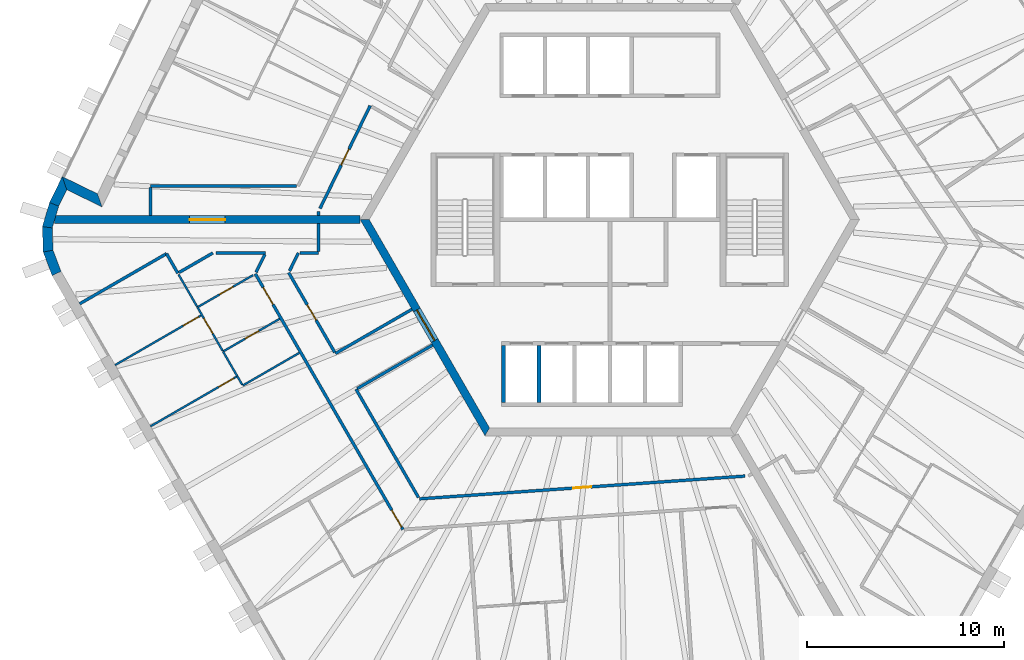
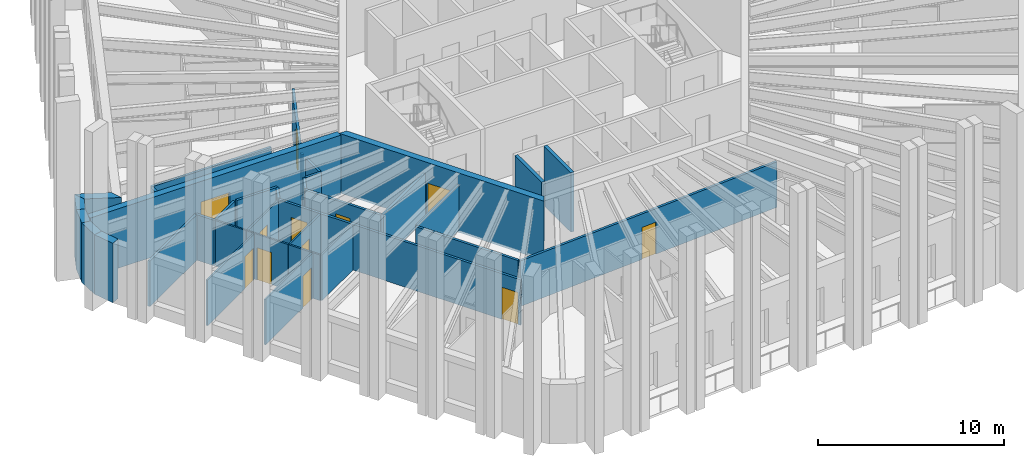
# One storey, part 4 of 13: 36 walls, 12 doors, 12 openings.
"""IFC4 building model written with IfcOpenShell, lengths in metres."""

from ifc_helpers import new_model, si_unit, direction, frame, frame_2d, origin, place, context, subcontext, project, spatial, polyline, rectangle, outline, extrude, material, layer, layer_set, type_object, element, fill, save


model = new_model("IFC4")

# Units and contexts
model_context = context("Model", 3, precision=1e-05, world=origin(), true_north=direction((0.0, 1.0)))
body_context = subcontext(model_context, "Body", "Model", "MODEL_VIEW")
ifc_project = project(units=[si_unit("LENGTHUNIT", "METRE"), si_unit("AREAUNIT", "SQUARE_METRE"), si_unit("VOLUMEUNIT", "CUBIC_METRE"), si_unit("PLANEANGLEUNIT", "RADIAN"), si_unit("MASSUNIT", "GRAM", prefix="KILO")], contexts=[model_context])

# Site, building, storey
site_placement = place(None, origin())
site = spatial("IfcSite", under=ifc_project, at=site_placement, CompositionType="ELEMENT")
building_placement = place(site_placement, origin())
building = spatial("IfcBuilding", under=site, at=building_placement, Name="Tarnside Tower", CompositionType="ELEMENT")
storey_placement = place(building_placement, frame((0.0, 0.0, 303.0)))
storey = spatial("IfcBuildingStorey", under=building, at=storey_placement, Name="L73", CompositionType="ELEMENT", Elevation=303.0)

# Walls
ifc_material_1 = material(Name="Gypsum board partition on steel studs", Category="steel")
ifc_layer_1 = layer(ifc_material_1, 0.10009765625)
ifc_layer_set_1 = layer_set([ifc_layer_1], Name="Bathroom wall 100")
wall_type_1 = type_object("IfcWallType", Name="Bathroom wall 100", PredefinedType="PARTITIONING", material=ifc_layer_set_1)
wall_1_placement = place(storey_placement, frame((-15.80078125, -6.782470703125, 0.0), z_axis=(0.0, 0.0, 1.0), x_axis=(-0.866033959199, -0.499985181294, 0.0)))
element("IfcWall", 1, at=wall_1_placement, inside=storey, type_object=wall_type_1, Name="Bathroom wall 24113", PredefinedType="PARTITIONING", context=body_context, shape_type="SweptSolid", body=[
    extrude(rectangle(XDim=3.32470703125, YDim=0.10009765625, at=frame_2d((1.662353515625, 0.0))), origin(), (0.0, 0.0, 1.0), 2.98779296875),
])
wall_2_placement = place(storey_placement, frame((-18.705322265625, -8.401611328125, 0.0), z_axis=(0.0, 0.0, 1.0), x_axis=(-0.499863173377, 0.866104386261, 0.0)))
element("IfcWall", 2, at=wall_2_placement, inside=storey, type_object=wall_type_1, Name="Bathroom wall 24114", PredefinedType="PARTITIONING", context=body_context, shape_type="SweptSolid", body=[
    extrude(rectangle(XDim=0.500732421875, YDim=0.10009765625, at=frame_2d((0.25048828125, 0.0))), origin(), (0.0, 0.0, 1.0), 2.98779296875),
])

# Wall, opening, door
wall_3_placement = place(storey_placement, frame((-19.68017578125, -6.712890625, 0.0), z_axis=(0.0, 0.0, 1.0), x_axis=(0.866002163101, 0.500040251884, 0.0)))
wall_3 = element("IfcWall", 3, at=wall_3_placement, inside=storey, type_object=wall_type_1, Name="Bathroom wall 24118", PredefinedType="PARTITIONING", context=body_context, shape_type="SweptSolid", body=[
    extrude(rectangle(XDim=3.324951171875, YDim=0.10009765625, at=frame_2d((1.66259765625, 0.0))), origin(), (0.0, 0.0, 1.0), 2.98779296875),
])
opening_1_placement = place(wall_3_placement, frame((1.300048828125, 0.0, 0.0)))
opening_1 = element("IfcOpeningElement", 4, at=opening_1_placement, cuts=wall_3, Name="Opening D-B1", PredefinedType="OPENING", context=body_context, shape_type="SweptSolid", body=[
    extrude(rectangle(XDim=0.800048828125, YDim=2.10009765625, at=frame_2d((0.39990234375, 1.050048828125))), frame((0.0, 0.06005859375, 0.0), z_axis=(0.0, -1.0, 0.0), x_axis=(1.0, 0.0, 0.0)), (0.0, 0.0, 1.0), 0.1201171875),
])
ifc_material_2 = material(Name="Timber door leaf", Category="wood")
door_type_1 = type_object("IfcDoorType", Name="Bathroom door 800", OperationType="NOTDEFINED", PredefinedType="DOOR", material=ifc_material_2)
door_1_placement = place(opening_1_placement, origin())
door_1 = element("IfcDoor", 5, at=door_1_placement, inside=storey, type_object=door_type_1, Name="Bathroom door 24023", OperationType="SINGLE_SWING_LEFT", OverallHeight=2.10009765625, OverallWidth=0.800048828125, PredefinedType="DOOR", context=body_context, shape_type="SweptSolid", body=[
    extrude(rectangle(XDim=0.800048828125, YDim=2.10009765625, at=frame_2d((0.39990234375, 1.050048828125))), frame((0.0, 0.02490234375, 0.0), z_axis=(0.0, -1.0, 0.0), x_axis=(1.0, 0.0, 0.0)), (0.0, 0.0, 1.0), 0.050048828125),
])
fill(opening_1, door_1)

wall_4_placement = place(storey_placement, frame((-18.15185546875, -2.828125, 0.0), z_axis=(0.0, 0.0, 1.0), x_axis=(-0.866012548765, -0.500022264885, 0.0)))
wall_4 = element("IfcWall", 6, at=wall_4_placement, inside=storey, type_object=wall_type_1, Name="Bathroom wall 24121", PredefinedType="PARTITIONING", context=body_context, shape_type="SweptSolid", body=[
    extrude(rectangle(XDim=3.265869140625, YDim=0.10009765625, at=frame_2d((1.6328125, 0.0))), origin(), (0.0, 0.0, 1.0), 2.98779296875),
])
opening_2_placement = place(wall_4_placement, frame((1.165771484375, 0.0, 0.0)))
opening_2 = element("IfcOpeningElement", 7, at=opening_2_placement, cuts=wall_4, Name="Opening D-B1", PredefinedType="OPENING", context=body_context, shape_type="SweptSolid", body=[
    extrude(rectangle(XDim=0.800048828125, YDim=2.10009765625, at=frame_2d((0.39990234375, 1.050048828125))), frame((0.0, 0.06005859375, 0.0), z_axis=(0.0, -1.0, 0.0), x_axis=(1.0, 0.0, 0.0)), (0.0, 0.0, 1.0), 0.1201171875),
])
door_2_placement = place(opening_2_placement, origin())
door_2 = element("IfcDoor", 8, at=door_2_placement, inside=storey, type_object=door_type_1, Name="Bathroom door 24032", OperationType="SINGLE_SWING_RIGHT", OverallHeight=2.10009765625, OverallWidth=0.800048828125, PredefinedType="DOOR", context=body_context, shape_type="SweptSolid", body=[
    extrude(rectangle(XDim=0.800048828125, YDim=2.10009765625, at=frame_2d((0.39990234375, 1.050048828125))), frame((0.0, 0.02490234375, 0.0), z_axis=(0.0, -1.0, 0.0), x_axis=(1.0, 0.0, 0.0)), (0.0, 0.0, 1.0), 0.050048828125),
])
fill(opening_2, door_2)

# Walls
wall_5_placement = place(storey_placement, frame((-19.68115234375, -6.711181640625, 0.0), z_axis=(0.0, 0.0, 1.0), x_axis=(0.499969679245, -0.866042908773, 0.0)))
element("IfcWall", 9, at=wall_5_placement, inside=storey, type_object=wall_type_1, Name="Bathroom wall 24122", PredefinedType="PARTITIONING", context=body_context, shape_type="SweptSolid", body=[
    extrude(rectangle(XDim=1.453125, YDim=0.10009765625, at=frame_2d((0.7265625, 0.0))), origin(), (0.0, 0.0, 1.0), 2.98779296875),
])
wall_6_placement = place(storey_placement, frame((-21.005126953125, -4.41796875, 0.0), z_axis=(0.0, 0.0, 1.0), x_axis=(-0.500004234368, 0.866022959057, 0.0)))
element("IfcWall", 10, at=wall_6_placement, inside=storey, type_object=wall_type_1, Name="Bathroom wall 24124", PredefinedType="PARTITIONING", context=body_context, shape_type="SweptSolid", body=[
    extrude(rectangle(XDim=1.875, YDim=0.10009765625, at=frame_2d((0.9375, 0.0))), origin(), (0.0, 0.0, 1.0), 2.98779296875),
])

# Wall, opening, door
ifc_material_3 = material(Name="Concrete C60/75", Category="concrete")
ifc_layer_2 = layer(ifc_material_3, 0.39990234375)
ifc_layer_set_2 = layer_set([ifc_layer_2], Name="Core wall Z3 400 C60/75")
wall_type_2 = type_object("IfcWallType", Name="Core wall Z3 400 C60/75", PredefinedType="SHEAR", material=ifc_layer_set_2)
wall_7_placement = place(storey_placement, frame((-12.470703125, 0.0, -0.14990234375), z_axis=(0.0, 0.0, 1.0), x_axis=(0.499996419489, -0.866027470984, 0.0)))
wall_7 = element("IfcWall", 11, at=wall_7_placement, inside=storey, type_object=wall_type_2, Name="L73 core wall face 3", PredefinedType="SHEAR", context=body_context, shape_type="SweptSolid", body=[
    extrude(outline(polyline([(-0.115478515625, -0.199951171875), (12.586181640625, -0.199951171875), (12.355224609375, 0.199951171875), (0.115478515625, 0.199951171875), (-0.115478515625, -0.199951171875)])), origin(), (0.0, 0.0, 1.0), 3.89990234375),
])
opening_3_placement = place(wall_7_placement, frame((5.306396484375, 0.0, 0.14990234375)))
opening_3 = element("IfcOpeningElement", 12, at=opening_3_placement, cuts=wall_7, Name="Opening CD-FFL", PredefinedType="OPENING", context=body_context, shape_type="SweptSolid", body=[
    extrude(rectangle(XDim=1.800048828125, YDim=2.39990234375, at=frame_2d((0.89990234375, 1.199951171875))), frame((0.0, 0.2099609375, 0.0), z_axis=(0.0, -1.0, 0.0), x_axis=(1.0, 0.0, 0.0)), (0.0, 0.0, 1.0), 0.419921875),
])
ifc_material_4 = material(Name="Steel fire door", Category="steel")
door_type_2 = type_object("IfcDoorType", Name="Firefighting lobby double door FD60S 1800x2400", OperationType="NOTDEFINED", PredefinedType="DOOR", material=ifc_material_4)
door_3_placement = place(opening_3_placement, origin())
door_3 = element("IfcDoor", 13, at=door_3_placement, inside=storey, type_object=door_type_2, Name="L73 core door P3", OperationType="DOUBLE_DOOR_SINGLE_SWING", OverallHeight=2.39990234375, OverallWidth=1.800048828125, PredefinedType="DOOR", context=body_context, shape_type="SweptSolid", body=[
    extrude(rectangle(XDim=1.800048828125, YDim=2.39990234375, at=frame_2d((0.89990234375, 1.199951171875))), frame((0.0, 0.02490234375, 0.0), z_axis=(0.0, -1.0, 0.0), x_axis=(1.0, 0.0, 0.0)), (0.0, 0.0, 1.0), 0.050048828125),
])
fill(opening_3, door_3)

wall_8_placement = place(storey_placement, frame((-12.70166015625, 0.0, -0.14990234375), z_axis=(0.0, 0.0, 1.0), x_axis=(-1.0, 0.0, 0.0)))
wall_8 = element("IfcWall", 14, at=wall_8_placement, inside=storey, type_object=wall_type_2, Name="L73 spine wall 2", PredefinedType="SHEAR", context=body_context, shape_type="SweptSolid", body=[
    extrude(rectangle(XDim=15.54443359375, YDim=0.39990234375, at=frame_2d((7.772216796875, 0.0))), origin(), (0.0, 0.0, 1.0), 3.89990234375),
])
opening_4_placement = place(wall_8_placement, frame((6.872314453125, 0.0, 0.14990234375)))
opening_4 = element("IfcOpeningElement", 15, at=opening_4_placement, cuts=wall_8, Name="Opening CD-SPN", PredefinedType="OPENING", context=body_context, shape_type="SweptSolid", body=[
    extrude(rectangle(XDim=1.800048828125, YDim=2.39990234375, at=frame_2d((0.89990234375, 1.199951171875))), frame((0.0, 0.2099609375, 0.0), z_axis=(0.0, -1.0, 0.0), x_axis=(1.0, 0.0, 0.0)), (0.0, 0.0, 1.0), 0.419921875),
])
door_type_3 = type_object("IfcDoorType", Name="Spine passage double door FD60 1800x2400", OperationType="NOTDEFINED", PredefinedType="DOOR", material=ifc_material_4)
door_4_placement = place(opening_4_placement, origin())
door_4 = element("IfcDoor", 16, at=door_4_placement, inside=storey, type_object=door_type_3, Name="L73 spine passage door 2", OperationType="DOUBLE_DOOR_SINGLE_SWING", OverallHeight=2.39990234375, OverallWidth=1.800048828125, PredefinedType="DOOR", context=body_context, shape_type="SweptSolid", body=[
    extrude(rectangle(XDim=1.800048828125, YDim=2.39990234375, at=frame_2d((0.89990234375, 1.199951171875))), frame((0.0, 0.02490234375, 0.0), z_axis=(0.0, -1.0, 0.0), x_axis=(1.0, 0.0, 0.0)), (0.0, 0.0, 1.0), 0.050048828125),
])
fill(opening_4, door_4)

# Walls
ifc_layer_3 = layer(ifc_material_1, 0.14990234375)
ifc_layer_set_3 = layer_set([ifc_layer_3], Name="Corridor wall 150 EI 60")
wall_type_3 = type_object("IfcWallType", Name="Corridor wall 150 EI 60", PredefinedType="PARTITIONING", material=ifc_layer_set_3)
wall_9_placement = place(storey_placement, frame((-15.943359375, 1.699951171875, 0.0), z_axis=(0.0, 0.0, 1.0), x_axis=(-1.0, 0.0, 0.0)))
element("IfcWall", 17, at=wall_9_placement, inside=storey, type_object=wall_type_3, Name="Corridor wall 24013", PredefinedType="PARTITIONING", context=body_context, shape_type="SweptSolid", body=[
    extrude(rectangle(XDim=7.4306640625, YDim=0.14990234375, at=frame_2d((3.71533203125, 0.0))), origin(), (0.0, 0.0, 1.0), 2.98779296875),
])
wall_10_placement = place(storey_placement, frame((-23.3740234375, 1.625, 0.0), z_axis=(0.0, 0.0, 1.0), x_axis=(0.0, -1.0, 0.0)))
element("IfcWall", 18, at=wall_10_placement, inside=storey, type_object=wall_type_3, Name="Corridor wall 24014", PredefinedType="PARTITIONING", context=body_context, shape_type="SweptSolid", body=[
    extrude(rectangle(XDim=1.425048828125, YDim=0.14990234375, at=frame_2d((0.71240234375, 0.0))), origin(), (0.0, 0.0, 1.0), 2.98779296875),
])
wall_11_placement = place(storey_placement, frame((-14.820068359375, 0.199951171875, 0.0), z_axis=(0.0, 0.0, 1.0), x_axis=(0.0, 1.0, 0.0)))
element("IfcWall", 19, at=wall_11_placement, inside=storey, type_object=wall_type_3, Name="Corridor wall 24023", PredefinedType="PARTITIONING", context=body_context, shape_type="SweptSolid", body=[
    extrude(rectangle(XDim=0.210205078125, YDim=0.14990234375, at=frame_2d((0.10498046875, 0.0))), origin(), (0.0, 0.0, 1.0), 2.98779296875),
])

# Wall, opening, door
wall_12_placement = place(storey_placement, frame((-14.7451171875, 0.563720703125, 0.0), z_axis=(0.0, 0.0, 1.0), x_axis=(0.438348416625, 0.898805132185, 0.0)))
wall_12 = element("IfcWall", 20, at=wall_12_placement, inside=storey, type_object=wall_type_3, Name="Corridor wall 24024", PredefinedType="PARTITIONING", context=body_context, shape_type="SweptSolid", body=[
    extrude(rectangle(XDim=5.819580078125, YDim=0.14990234375, at=frame_2d((2.90966796875, 0.0))), origin(), (0.0, 0.0, 1.0), 2.98779296875),
])
opening_5_placement = place(wall_12_placement, frame((2.459716796875, 0.0, 0.0)))
opening_5 = element("IfcOpeningElement", 21, at=opening_5_placement, cuts=wall_12, Name="Opening D-S1", PredefinedType="OPENING", context=body_context, shape_type="SweptSolid", body=[
    extrude(rectangle(XDim=0.89990234375, YDim=2.10009765625, at=frame_2d((0.449951171875, 1.050048828125))), frame((0.0, 0.0849609375, 0.0), z_axis=(0.0, -1.0, 0.0), x_axis=(1.0, 0.0, 0.0)), (0.0, 0.0, 1.0), 0.169921875),
])
door_type_4 = type_object("IfcDoorType", Name="Service room door 900 FD30S", OperationType="NOTDEFINED", PredefinedType="DOOR", material=ifc_material_2)
door_5_placement = place(opening_5_placement, origin())
door_5 = element("IfcDoor", 22, at=door_5_placement, inside=storey, type_object=door_type_4, Name="Service door 24064", OperationType="SINGLE_SWING_RIGHT", OverallHeight=2.10009765625, OverallWidth=0.89990234375, PredefinedType="DOOR", context=body_context, shape_type="SweptSolid", body=[
    extrude(rectangle(XDim=0.89990234375, YDim=2.10009765625, at=frame_2d((0.449951171875, 1.050048828125))), frame((0.0, 0.02490234375, 0.0), z_axis=(0.0, -1.0, 0.0), x_axis=(1.0, 0.0, 0.0)), (0.0, 0.0, 1.0), 0.050048828125),
])
fill(opening_5, door_5)

# Wall, openings, doors
wall_13_placement = place(storey_placement, frame((-18.03564453125, -2.76123046875, 0.0), z_axis=(0.0, 0.0, 1.0), x_axis=(0.499996279807, -0.866027551628, 0.0)))
wall_13 = element("IfcWall", 23, at=wall_13_placement, inside=storey, type_object=wall_type_3, Name="Corridor wall 24026", PredefinedType="PARTITIONING", context=body_context, shape_type="SweptSolid", body=[
    extrude(rectangle(XDim=15.02392578125, YDim=0.14990234375, at=frame_2d((7.511962890625, 0.0))), origin(), (0.0, 0.0, 1.0), 2.98779296875),
])
opening_6_placement = place(wall_13_placement, frame((0.800048828125, 0.0, 0.0)))
opening_6 = element("IfcOpeningElement", 24, at=opening_6_placement, cuts=wall_13, Name="Opening D-E1", PredefinedType="OPENING", context=body_context, shape_type="SweptSolid", body=[
    extrude(rectangle(XDim=1.0, YDim=2.10009765625, at=frame_2d((0.5, 1.050048828125))), frame((0.0, 0.0849609375, 0.0), z_axis=(0.0, -1.0, 0.0), x_axis=(1.0, 0.0, 0.0)), (0.0, 0.0, 1.0), 0.169921875),
])
opening_7_placement = place(wall_13_placement, frame((13.874267578125, 0.0, 0.0)))
opening_7 = element("IfcOpeningElement", 25, at=opening_7_placement, cuts=wall_13, Name="Opening D-E1", PredefinedType="OPENING", context=body_context, shape_type="SweptSolid", body=[
    extrude(rectangle(XDim=1.0, YDim=2.10009765625, at=frame_2d((0.5, 1.050048828125))), frame((0.0, 0.0849609375, 0.0), z_axis=(0.0, -1.0, 0.0), x_axis=(1.0, 0.0, 0.0)), (0.0, 0.0, 1.0), 0.169921875),
])
door_type_5 = type_object("IfcDoorType", Name="Unit entrance door 1000 FD30S", OperationType="NOTDEFINED", PredefinedType="DOOR", material=ifc_material_2)
door_6_placement = place(opening_6_placement, origin())
door_6 = element("IfcDoor", 26, at=door_6_placement, inside=storey, type_object=door_type_5, Name="Unit door 24022", OperationType="SINGLE_SWING_RIGHT", OverallHeight=2.10009765625, OverallWidth=1.0, PredefinedType="DOOR", context=body_context, shape_type="SweptSolid", body=[
    extrude(rectangle(XDim=1.0, YDim=2.10009765625, at=frame_2d((0.5, 1.050048828125))), frame((0.0, 0.02490234375, 0.0), z_axis=(0.0, -1.0, 0.0), x_axis=(1.0, 0.0, 0.0)), (0.0, 0.0, 1.0), 0.050048828125),
])
fill(opening_6, door_6)
door_7_placement = place(opening_7_placement, origin())
door_7 = element("IfcDoor", 27, at=door_7_placement, inside=storey, type_object=door_type_5, Name="Unit door 24033", OperationType="SINGLE_SWING_LEFT", OverallHeight=2.10009765625, OverallWidth=1.0, PredefinedType="DOOR", context=body_context, shape_type="SweptSolid", body=[
    extrude(rectangle(XDim=1.0, YDim=2.10009765625, at=frame_2d((0.5, 1.050048828125))), frame((0.0, 0.02490234375, 0.0), z_axis=(0.0, -1.0, 0.0), x_axis=(1.0, 0.0, 0.0)), (0.0, 0.0, 1.0), 0.050048828125),
])
fill(opening_7, door_7)

# Walls
wall_14_placement = place(storey_placement, frame((-26.97119140625, -4.284423828125, 0.0), z_axis=(0.0, 0.0, 1.0), x_axis=(0.866024511559, 0.500001545377, 0.0)))
element("IfcWall", 28, at=wall_14_placement, inside=storey, type_object=wall_type_3, Name="Corridor wall 24029", PredefinedType="PARTITIONING", context=body_context, shape_type="SweptSolid", body=[
    extrude(rectangle(XDim=5.0986328125, YDim=0.14990234375, at=frame_2d((2.54931640625, 0.0))), origin(), (0.0, 0.0, 1.0), 2.98779296875),
])
wall_15_placement = place(storey_placement, frame((-22.553955078125, -1.735595703125, 0.0), z_axis=(0.0, 0.0, 1.0), x_axis=(0.500040764516, -0.866001867101, 0.0)))
element("IfcWall", 29, at=wall_15_placement, inside=storey, type_object=wall_type_3, Name="Corridor wall 24030", PredefinedType="PARTITIONING", context=body_context, shape_type="SweptSolid", body=[
    extrude(rectangle(XDim=1.15087890625, YDim=0.14990234375, at=frame_2d((0.575439453125, 0.0))), origin(), (0.0, 0.0, 1.0), 2.98779296875),
])
wall_16_placement = place(storey_placement, frame((-21.915283203125, -2.691650390625, 0.0), z_axis=(0.0, 0.0, 1.0), x_axis=(0.866007234284, 0.500031469177, 0.0)))
element("IfcWall", 30, at=wall_16_placement, inside=storey, type_object=wall_type_3, Name="Corridor wall 24031", PredefinedType="PARTITIONING", context=body_context, shape_type="SweptSolid", body=[
    extrude(rectangle(XDim=1.983154296875, YDim=0.14990234375, at=frame_2d((0.99169921875, 0.0))), origin(), (0.0, 0.0, 1.0), 2.98779296875),
])
wall_17_placement = place(storey_placement, frame((-20.0478515625, -1.699951171875, 0.0), z_axis=(0.0, 0.0, 1.0), x_axis=(1.0, 0.0, 0.0)))
element("IfcWall", 31, at=wall_17_placement, inside=storey, type_object=wall_type_3, Name="Corridor wall 24032", PredefinedType="PARTITIONING", context=body_context, shape_type="SweptSolid", body=[
    extrude(rectangle(XDim=2.52978515625, YDim=0.14990234375, at=frame_2d((1.264892578125, 0.0))), origin(), (0.0, 0.0, 1.0), 2.98779296875),
])
wall_18_placement = place(storey_placement, frame((-17.5546875, -1.77490234375, 0.0), z_axis=(0.0, 0.0, 1.0), x_axis=(-0.438366307753, -0.898796406439, 0.0)))
element("IfcWall", 32, at=wall_18_placement, inside=storey, type_object=wall_type_3, Name="Corridor wall 24033", PredefinedType="PARTITIONING", context=body_context, shape_type="SweptSolid", body=[
    extrude(rectangle(XDim=1.0068359375, YDim=0.14990234375, at=frame_2d((0.50341796875, 0.0))), origin(), (0.0, 0.0, 1.0), 2.98779296875),
])
wall_19_placement = place(storey_placement, frame((-10.065673828125, -4.565673828125, 0.0), z_axis=(0.0, 0.0, 1.0), x_axis=(-0.866031096941, -0.499990139034, 0.0)))
element("IfcWall", 33, at=wall_19_placement, inside=storey, type_object=wall_type_3, Name="Corridor wall 24045", PredefinedType="PARTITIONING", context=body_context, shape_type="SweptSolid", body=[
    extrude(rectangle(XDim=4.5, YDim=0.14990234375, at=frame_2d((2.25, 0.0))), origin(), (0.0, 0.0, 1.0), 2.98779296875),
])

# Wall, opening, door
wall_20_placement = place(storey_placement, frame((-14.000244140625, -6.750732421875, 0.0), z_axis=(0.0, 0.0, 1.0), x_axis=(-0.500008739126, 0.866020358189, 0.0)))
wall_20 = element("IfcWall", 34, at=wall_20_placement, inside=storey, type_object=wall_type_3, Name="Corridor wall 24046", PredefinedType="PARTITIONING", context=body_context, shape_type="SweptSolid", body=[
    extrude(rectangle(XDim=4.67529296875, YDim=0.14990234375, at=frame_2d((2.337646484375, 0.0))), origin(), (0.0, 0.0, 1.0), 2.98779296875),
])
opening_8_placement = place(wall_20_placement, frame((1.8876953125, 0.0, 0.0)))
opening_8 = element("IfcOpeningElement", 35, at=opening_8_placement, cuts=wall_20, Name="Opening D-S1", PredefinedType="OPENING", context=body_context, shape_type="SweptSolid", body=[
    extrude(rectangle(XDim=0.89990234375, YDim=2.10009765625, at=frame_2d((0.449951171875, 1.050048828125))), frame((0.0, 0.0849609375, 0.0), z_axis=(0.0, -1.0, 0.0), x_axis=(1.0, 0.0, 0.0)), (0.0, 0.0, 1.0), 0.169921875),
])
door_8_placement = place(opening_8_placement, origin())
door_8 = element("IfcDoor", 36, at=door_8_placement, inside=storey, type_object=door_type_4, Name="Service door 24065", OperationType="SINGLE_SWING_RIGHT", OverallHeight=2.10009765625, OverallWidth=0.89990234375, PredefinedType="DOOR", context=body_context, shape_type="SweptSolid", body=[
    extrude(rectangle(XDim=0.89990234375, YDim=2.10009765625, at=frame_2d((0.449951171875, 1.050048828125))), frame((0.0, 0.02490234375, 0.0), z_axis=(0.0, -1.0, 0.0), x_axis=(1.0, 0.0, 0.0)), (0.0, 0.0, 1.0), 0.050048828125),
])
fill(opening_8, door_8)

# Walls
wall_21_placement = place(storey_placement, frame((-16.29833984375, -2.62060546875, 0.0), z_axis=(0.0, 0.0, 1.0), x_axis=(0.438325013788, 0.898816545402, 0.0)))
element("IfcWall", 37, at=wall_21_placement, inside=storey, type_object=wall_type_3, Name="Corridor wall 24047", PredefinedType="PARTITIONING", context=body_context, shape_type="SweptSolid", body=[
    extrude(rectangle(XDim=1.0244140625, YDim=0.14990234375, at=frame_2d((0.51220703125, 0.0))), origin(), (0.0, 0.0, 1.0), 2.98779296875),
])
wall_22_placement = place(storey_placement, frame((-15.765869140625, -1.699951171875, 0.0), z_axis=(0.0, 0.0, 1.0), x_axis=(1.0, 0.0, 0.0)))
element("IfcWall", 38, at=wall_22_placement, inside=storey, type_object=wall_type_3, Name="Corridor wall 24048", PredefinedType="PARTITIONING", context=body_context, shape_type="SweptSolid", body=[
    extrude(rectangle(XDim=0.94580078125, YDim=0.14990234375, at=frame_2d((0.472900390625, 0.0))), origin(), (0.0, 0.0, 1.0), 2.98779296875),
])
wall_23_placement = place(storey_placement, frame((-14.820068359375, -1.625, 0.0), z_axis=(0.0, 0.0, 1.0), x_axis=(0.0, 1.0, 0.0)))
element("IfcWall", 39, at=wall_23_placement, inside=storey, type_object=wall_type_3, Name="Corridor wall 24049", PredefinedType="PARTITIONING", context=body_context, shape_type="SweptSolid", body=[
    extrude(rectangle(XDim=1.425048828125, YDim=0.14990234375, at=frame_2d((0.71240234375, 0.0))), origin(), (0.0, 0.0, 1.0), 2.98779296875),
])

# Wall, opening, door
wall_24_placement = place(storey_placement, frame((6.88427734375, -13.051513671875, 0.0), z_axis=(0.0, 0.0, 1.0), x_axis=(-0.997564224443, -0.069753982764, 0.0)))
wall_24 = element("IfcWall", 40, at=wall_24_placement, inside=storey, type_object=wall_type_3, Name="Corridor wall 24051", PredefinedType="PARTITIONING", context=body_context, shape_type="SweptSolid", body=[
    extrude(rectangle(XDim=16.6181640625, YDim=0.14990234375, at=frame_2d((8.30908203125, 0.0))), origin(), (0.0, 0.0, 1.0), 2.98779296875),
])
opening_9_placement = place(wall_24_placement, frame((7.85888671875, 0.0, 0.0)))
opening_9 = element("IfcOpeningElement", 41, at=opening_9_placement, cuts=wall_24, Name="Opening D-S1", PredefinedType="OPENING", context=body_context, shape_type="SweptSolid", body=[
    extrude(rectangle(XDim=0.89990234375, YDim=2.10009765625, at=frame_2d((0.449951171875, 1.050048828125))), frame((0.0, 0.0849609375, 0.0), z_axis=(0.0, -1.0, 0.0), x_axis=(1.0, 0.0, 0.0)), (0.0, 0.0, 1.0), 0.169921875),
])
door_9_placement = place(opening_9_placement, origin())
door_9 = element("IfcDoor", 42, at=door_9_placement, inside=storey, type_object=door_type_4, Name="Service door 24066", OperationType="SINGLE_SWING_RIGHT", OverallHeight=2.10009765625, OverallWidth=0.89990234375, PredefinedType="DOOR", context=body_context, shape_type="SweptSolid", body=[
    extrude(rectangle(XDim=0.89990234375, YDim=2.10009765625, at=frame_2d((0.449951171875, 1.050048828125))), frame((0.0, 0.02490234375, 0.0), z_axis=(0.0, -1.0, 0.0), x_axis=(1.0, 0.0, 0.0)), (0.0, 0.0, 1.0), 0.050048828125),
])
fill(opening_9, door_9)

# Walls
wall_25_placement = place(storey_placement, frame((-9.73486328125, -14.138427734375, 0.0), z_axis=(0.0, 0.0, 1.0), x_axis=(-0.500018385592, 0.866014788598, 0.0)))
element("IfcWall", 43, at=wall_25_placement, inside=storey, type_object=wall_type_3, Name="Corridor wall 24052", PredefinedType="PARTITIONING", context=body_context, shape_type="SweptSolid", body=[
    extrude(rectangle(XDim=6.355712890625, YDim=0.14990234375, at=frame_2d((3.177734375, 0.0))), origin(), (0.0, 0.0, 1.0), 2.98779296875),
])
wall_26_placement = place(storey_placement, frame((-12.847900390625, -8.596923828125, 0.0), z_axis=(0.0, 0.0, 1.0), x_axis=(0.866017452598, 0.500013771606, 0.0)))
element("IfcWall", 44, at=wall_26_placement, inside=storey, type_object=wall_type_3, Name="Corridor wall 24053", PredefinedType="PARTITIONING", context=body_context, shape_type="SweptSolid", body=[
    extrude(rectangle(XDim=4.42529296875, YDim=0.14990234375, at=frame_2d((2.212646484375, 0.0))), origin(), (0.0, 0.0, 1.0), 2.98779296875),
])
ifc_material_5 = material(Name="Concrete C40/50", Category="concrete")
ifc_layer_4 = layer(ifc_material_5, 0.199951171875)
ifc_layer_set_4 = layer_set([ifc_layer_4], Name="Lift shaft wall 200 C40/50")
wall_type_4 = type_object("IfcWallType", Name="Lift shaft wall 200 C40/50", PredefinedType="SHEAR", material=ifc_layer_set_4)
for number, where, z_axis, x_axis, name in (
    (45, (-5.39990234375, -9.300048828125, -0.25), (0.0, 0.0, 1.0), (0.0, 1.0, 0.0), "L73 lift shaft partition R41"),
    (46, (-3.60009765625, -9.300048828125, -0.25), (0.0, 0.0, 1.0), (0.0, 1.0, 0.0), "L73 lift shaft partition R42"),
):
    element("IfcWall", number, at=place(storey_placement, frame(where, z_axis=z_axis, x_axis=x_axis)), inside=storey, type_object=wall_type_4, Name=name, PredefinedType="SHEAR", context=body_context, shape_type="SweptSolid", body=[
        extrude(rectangle(XDim=2.900146484375, YDim=0.199951171875, at=frame_2d((1.4501953125, 0.0))), origin(), (0.0, 0.0, 1.0), 3.89990234375),
    ])
ifc_material_6 = material(Name="Dark zinc cladding")
ifc_layer_5 = layer(ifc_material_6, 0.10205078125)
ifc_material_7 = material(Name="Concrete C60/75 precast", Category="concrete")
ifc_layer_6 = layer(ifc_material_7, 0.298095703125)
ifc_material_8 = material(Name="Mineral wool insulation")
ifc_layer_7 = layer(ifc_material_8, 0.10009765625)
ifc_layer_set_5 = layer_set([ifc_layer_5, ifc_layer_6, ifc_layer_7], Name="Loggia wall 500 zinc faced")
wall_type_5 = type_object("IfcWallType", Name="Loggia wall 500 zinc faced", PredefinedType="SOLIDWALL", material=ifc_layer_set_5)
wall_27_placement = place(storey_placement, frame((-25.9482421875, 0.97607421875, -0.14990234375), z_axis=(0.0, 0.0, 1.0), x_axis=(-0.898802465371, 0.438353884714, 0.0)))
element("IfcWall", 47, at=wall_27_placement, inside=storey, type_object=wall_type_5, Name="Tube wall L73 F2 return 07", PredefinedType="SOLIDWALL", context=body_context, shape_type="SweptSolid", body=[
    extrude(outline(polyline([(0.25, -0.25), (2.25, -0.25), (1.75, 0.25), (-0.25, 0.25), (0.25, -0.25)])), origin(), (0.0, 0.0, 1.0), 3.89990234375),
])
wall_28_placement = place(storey_placement, frame((-27.745849609375, 1.852783203125, -0.14990234375), z_axis=(0.0, 0.0, 1.0), x_axis=(-0.438319390103, -0.898819287877, 0.0)))
element("IfcWall", 48, at=wall_28_placement, inside=storey, type_object=wall_type_5, Name="Tube wall L73 F2 stub 08", PredefinedType="SOLIDWALL", context=body_context, shape_type="SweptSolid", body=[
    extrude(outline(polyline([(-0.25, -0.25), (1.22021484375, -0.25), (1.17919921875, 0.25), (0.25, 0.25), (-0.25, -0.25)])), origin(), (0.0, 0.0, 1.0), 3.89990234375),
])

# Wall, opening, door
ifc_layer_8 = layer(ifc_material_1, 0.10009765625)
ifc_layer_set_6 = layer_set([ifc_layer_8], Name="Partition 100")
wall_type_6 = type_object("IfcWallType", Name="Partition 100", PredefinedType="PARTITIONING", material=ifc_layer_set_6)
wall_29_placement = place(storey_placement, frame((-18.997802734375, -7.994873046875, 0.0), z_axis=(0.0, 0.0, 1.0), x_axis=(-0.866039067339, -0.499976333282, 0.0)))
wall_29 = element("IfcWall", 49, at=wall_29_placement, inside=storey, type_object=wall_type_6, Name="Partition wall 24115", PredefinedType="PARTITIONING", context=body_context, shape_type="SweptSolid", body=[
    extrude(rectangle(XDim=5.050048828125, YDim=0.10009765625, at=frame_2d((2.52490234375, 0.0))), origin(), (0.0, 0.0, 1.0), 2.98779296875),
])
opening_10_placement = place(wall_29_placement, frame((0.14990234375, 0.0, 0.0)))
opening_10 = element("IfcOpeningElement", 50, at=opening_10_placement, cuts=wall_29, Name="Opening D-I1", PredefinedType="OPENING", context=body_context, shape_type="SweptSolid", body=[
    extrude(rectangle(XDim=0.89990234375, YDim=2.10009765625, at=frame_2d((0.449951171875, 1.050048828125))), frame((0.0, 0.06005859375, 0.0), z_axis=(0.0, -1.0, 0.0), x_axis=(1.0, 0.0, 0.0)), (0.0, 0.0, 1.0), 0.1201171875),
])
door_type_6 = type_object("IfcDoorType", Name="Internal door 900", OperationType="NOTDEFINED", PredefinedType="DOOR", material=ifc_material_2)
door_10_placement = place(opening_10_placement, origin())
door_10 = element("IfcDoor", 51, at=door_10_placement, inside=storey, type_object=door_type_6, Name="Internal door 24031", OperationType="SINGLE_SWING_RIGHT", OverallHeight=2.10009765625, OverallWidth=0.89990234375, PredefinedType="DOOR", context=body_context, shape_type="SweptSolid", body=[
    extrude(rectangle(XDim=0.89990234375, YDim=2.10009765625, at=frame_2d((0.449951171875, 1.050048828125))), frame((0.0, 0.02490234375, 0.0), z_axis=(0.0, -1.0, 0.0), x_axis=(1.0, 0.0, 0.0)), (0.0, 0.0, 1.0), 0.050048828125),
])
fill(opening_10, door_10)

wall_30_placement = place(storey_placement, frame((-20.981201171875, -4.45947265625, 0.0), z_axis=(0.0, 0.0, 1.0), x_axis=(0.500056202316, -0.865992952931, 0.0)))
wall_30 = element("IfcWall", 52, at=wall_30_placement, inside=storey, type_object=wall_type_6, Name="Partition wall 24119", PredefinedType="PARTITIONING", context=body_context, shape_type="SweptSolid", body=[
    extrude(rectangle(XDim=2.553955078125, YDim=0.10009765625, at=frame_2d((1.27685546875, 0.0))), origin(), (0.0, 0.0, 1.0), 2.98779296875),
])
opening_11_placement = place(wall_30_placement, frame((0.6533203125, 0.0, 0.0)))
opening_11 = element("IfcOpeningElement", 53, at=opening_11_placement, cuts=wall_30, Name="Opening D-I1", PredefinedType="OPENING", context=body_context, shape_type="SweptSolid", body=[
    extrude(rectangle(XDim=0.89990234375, YDim=2.10009765625, at=frame_2d((0.449951171875, 1.050048828125))), frame((0.0, 0.06005859375, 0.0), z_axis=(0.0, -1.0, 0.0), x_axis=(1.0, 0.0, 0.0)), (0.0, 0.0, 1.0), 0.1201171875),
])
door_11_placement = place(opening_11_placement, origin())
door_11 = element("IfcDoor", 54, at=door_11_placement, inside=storey, type_object=door_type_6, Name="Internal door 24026", OperationType="SINGLE_SWING_LEFT", OverallHeight=2.10009765625, OverallWidth=0.89990234375, PredefinedType="DOOR", context=body_context, shape_type="SweptSolid", body=[
    extrude(rectangle(XDim=0.89990234375, YDim=2.10009765625, at=frame_2d((0.449951171875, 1.050048828125))), frame((0.0, 0.02490234375, 0.0), z_axis=(0.0, -1.0, 0.0), x_axis=(1.0, 0.0, 0.0)), (0.0, 0.0, 1.0), 0.050048828125),
])
fill(opening_11, door_11)

wall_31_placement = place(storey_placement, frame((-25.171142578125, -7.402099609375, 0.0), z_axis=(0.0, 0.0, 1.0), x_axis=(0.866026981659, 0.499997267031, 0.0)))
wall_31 = element("IfcWall", 55, at=wall_31_placement, inside=storey, type_object=wall_type_6, Name="Partition wall 24123", PredefinedType="PARTITIONING", context=body_context, shape_type="SweptSolid", body=[
    extrude(rectangle(XDim=5.0498046875, YDim=0.10009765625, at=frame_2d((2.52490234375, 0.0))), origin(), (0.0, 0.0, 1.0), 2.98779296875),
])
opening_12_placement = place(wall_31_placement, frame((4.0, 0.0, 0.0)))
opening_12 = element("IfcOpeningElement", 56, at=opening_12_placement, cuts=wall_31, Name="Opening D-I1", PredefinedType="OPENING", context=body_context, shape_type="SweptSolid", body=[
    extrude(rectangle(XDim=0.89990234375, YDim=2.10009765625, at=frame_2d((0.449951171875, 1.050048828125))), frame((0.0, 0.06005859375, 0.0), z_axis=(0.0, -1.0, 0.0), x_axis=(1.0, 0.0, 0.0)), (0.0, 0.0, 1.0), 0.1201171875),
])
door_12_placement = place(opening_12_placement, origin())
door_12 = element("IfcDoor", 57, at=door_12_placement, inside=storey, type_object=door_type_6, Name="Internal door 24029", OperationType="SINGLE_SWING_RIGHT", OverallHeight=2.10009765625, OverallWidth=0.89990234375, PredefinedType="DOOR", context=body_context, shape_type="SweptSolid", body=[
    extrude(rectangle(XDim=0.89990234375, YDim=2.10009765625, at=frame_2d((0.449951171875, 1.050048828125))), frame((0.0, 0.02490234375, 0.0), z_axis=(0.0, -1.0, 0.0), x_axis=(1.0, 0.0, 0.0)), (0.0, 0.0, 1.0), 0.050048828125),
])
fill(opening_12, door_12)

# Walls
ifc_material_9 = material(Name="Facing brick", Category="masonry")
ifc_layer_9 = layer(ifc_material_9, 0.10205078125)
ifc_layer_10 = layer(ifc_material_7, 0.298095703125)
ifc_layer_11 = layer(ifc_material_8, 0.10009765625)
ifc_layer_set_7 = layer_set([ifc_layer_9, ifc_layer_10, ifc_layer_11], Name="Tube wall 500 brick faced")
wall_type_7 = type_object("IfcWallType", Name="Tube wall 500 brick faced", PredefinedType="SOLIDWALL", material=ifc_layer_set_7)
wall_32_placement = place(storey_placement, frame((-28.271728515625, 0.7744140625, -0.14990234375), z_axis=(0.0, 0.0, 1.0), x_axis=(-0.286813843218, -0.957986335674, 0.0)))
element("IfcWall", 58, at=wall_32_placement, inside=storey, type_object=wall_type_7, Name="Tube wall L73 F2 chord 09", PredefinedType="SOLIDWALL", context=body_context, shape_type="SweptSolid", body=[
    extrude(outline(polyline([(-0.0205078125, -0.25), (1.25732421875, -0.25), (1.17529296875, 0.25), (0.0205078125, 0.25), (-0.0205078125, -0.25)])), origin(), (0.0, 0.0, 1.0), 3.89990234375),
])
wall_33_placement = place(storey_placement, frame((-28.62060546875, -0.390869140625, -0.14990234375), z_axis=(0.0, 0.0, 1.0), x_axis=(0.034925456137, -0.999389920158, 0.0)))
element("IfcWall", 59, at=wall_33_placement, inside=storey, type_object=wall_type_7, Name="Tube wall L73 F2 chord 10", PredefinedType="SOLIDWALL", context=body_context, shape_type="SweptSolid", body=[
    extrude(outline(polyline([(-0.041015625, -0.25), (1.25732421875, -0.25), (1.17529296875, 0.25), (0.041015625, 0.25), (-0.041015625, -0.25)])), origin(), (0.0, 0.0, 1.0), 3.89990234375),
])
wall_34_placement = place(storey_placement, frame((-28.578125, -1.6064453125, -0.14990234375), z_axis=(0.0, 0.0, 1.0), x_axis=(0.352838463023, -0.935684251771, 0.0)))
element("IfcWall", 60, at=wall_34_placement, inside=storey, type_object=wall_type_7, Name="Tube wall L73 F2 chord 11", PredefinedType="SOLIDWALL", context=body_context, shape_type="SweptSolid", body=[
    extrude(outline(polyline([(-0.041015625, -0.25), (1.23681640625, -0.25), (1.19580078125, 0.25), (0.041015625, 0.25), (-0.041015625, -0.25)])), origin(), (0.0, 0.0, 1.0), 3.89990234375),
])

save(model, "model.ifc")
